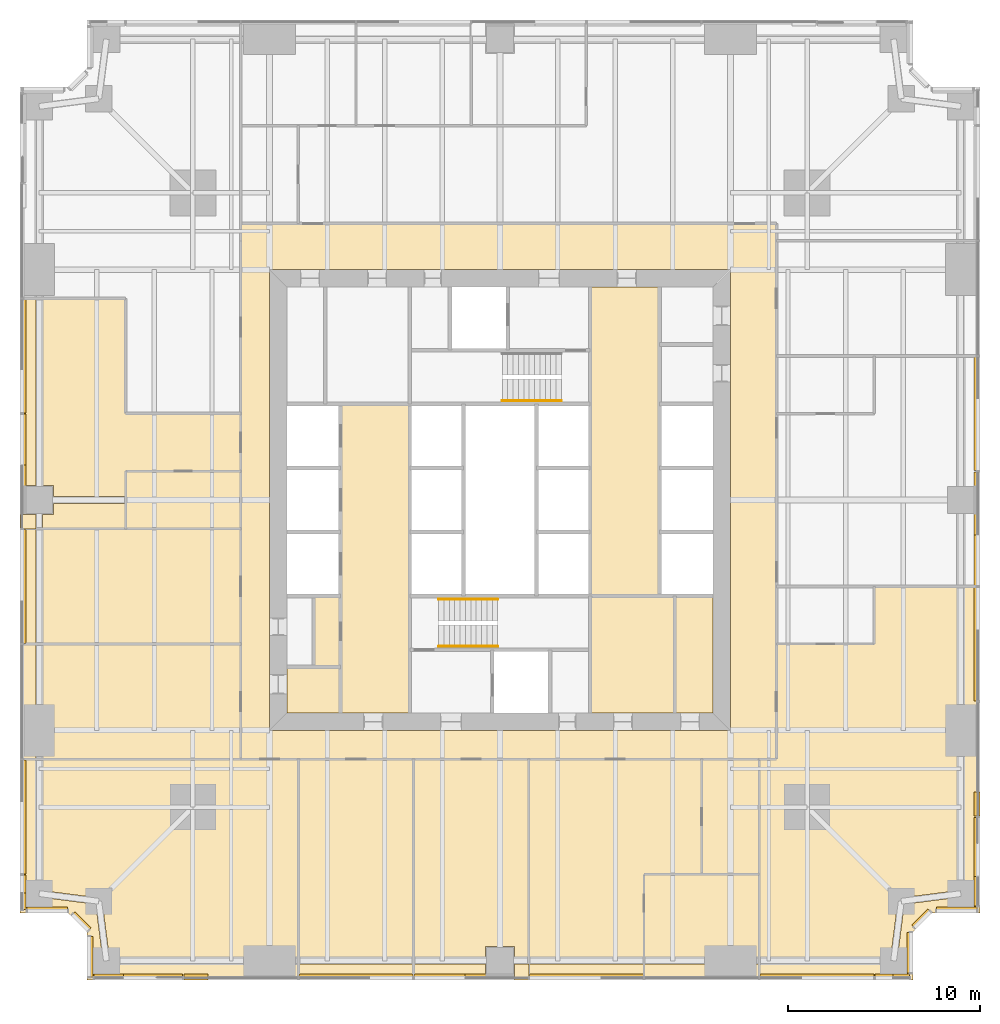
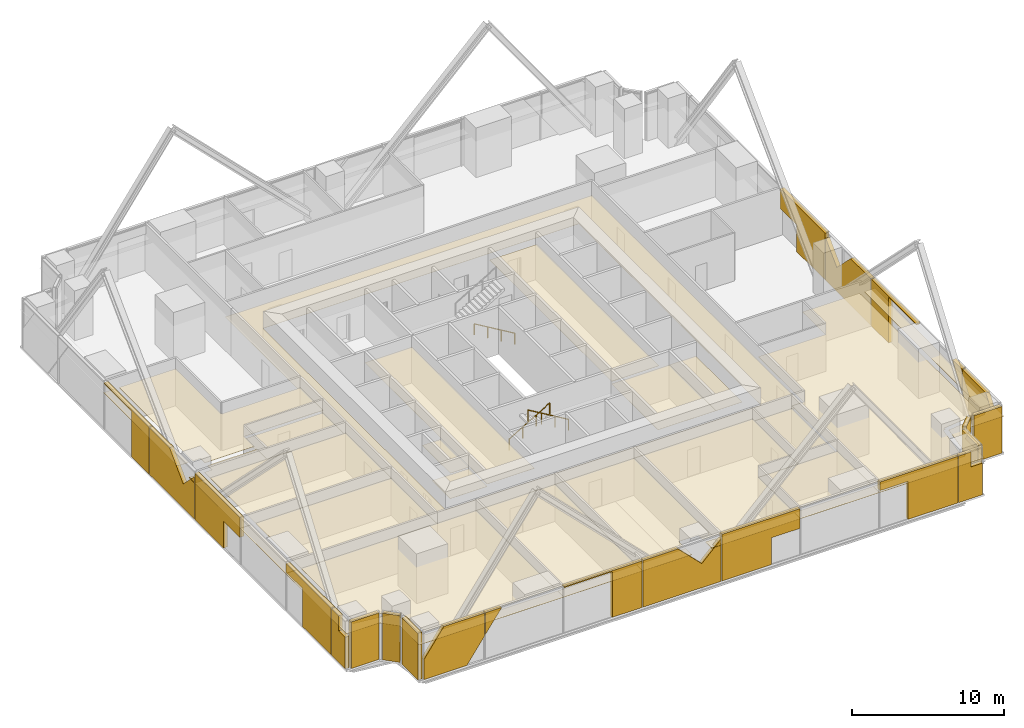
# One storey, part 12 of 13: 53 coverings, 3 railings.
"""IFC4 building model written with IfcOpenShell, lengths in metres."""

from ifc_helpers import new_model, si_unit, direction, frame, origin, origin_2d, place, context, subcontext, project, spatial, polyline, circle, outline, extrude, material, layer, layer_set, type_object, element, save


model = new_model("IFC4")

# Units and contexts
model_context = context("Model", 3, precision=1e-05, world=origin(), true_north=direction((0.0, 1.0)))
body_context = subcontext(model_context, "Body", "Model", "MODEL_VIEW")
ifc_project = project(units=[si_unit("LENGTHUNIT", "METRE"), si_unit("AREAUNIT", "SQUARE_METRE"), si_unit("VOLUMEUNIT", "CUBIC_METRE"), si_unit("PLANEANGLEUNIT", "RADIAN"), si_unit("MASSUNIT", "GRAM", prefix="KILO")], contexts=[model_context])

# Site, building, storey
site_placement = place(None, origin())
site = spatial("IfcSite", under=ifc_project, at=site_placement, CompositionType="ELEMENT")
building_placement = place(site_placement, origin())
building = spatial("IfcBuilding", under=site, at=building_placement, Name="Fenwick Lantern Interchange", CompositionType="ELEMENT")
storey_placement = place(building_placement, frame((0.0, 0.0, 67.0)))
storey = spatial("IfcBuildingStorey", under=building, at=storey_placement, Name="L15", CompositionType="ELEMENT", Elevation=67.0)

# Coverings
ifc_material_1 = material(Name="Mineral fibre acoustic tile on suspended grid")
ifc_layer_1 = layer(ifc_material_1, 0.02001953125)
ifc_layer_set_1 = layer_set([ifc_layer_1], Name="ACOUSTIC TILE CEILING 20")
covering_type_1 = type_object("IfcCoveringType", Name="ACOUSTIC TILE CEILING 20", PredefinedType="CEILING", material=ifc_layer_set_1)
covering_1_placement = place(storey_placement, frame((0.0, 0.0, 2.699951171875)))
element("IfcCovering", 1, at=covering_1_placement, inside=storey, type_object=covering_type_1, Name="Print and copy room ceiling", PredefinedType="CEILING", context=body_context, shape_type="SweptSolid", body=[
    extrude(outline(polyline([(15.300048828125, 16.300048828125), (16.699951171875, 16.300048828125), (16.699951171875, 20.0), (15.300048828125, 20.0), (15.300048828125, 16.300048828125)])), origin(), (0.0, 0.0, 1.0), 0.02001953125),
])
covering_2_placement = place(storey_placement, frame((0.0, 0.0, 2.89990234375)))
element("IfcCovering", 2, at=covering_2_placement, inside=storey, type_object=covering_type_1, Name="Office suite ceiling", PredefinedType="CEILING", context=body_context, shape_type="SweptSolid", body=[
    extrude(outline(polyline([(14.5, 11.5), (1.17236328125, 11.5), (1.17236328125, 4.651611328125), (4.1220703125, 4.27099609375), (4.10009765625, 4.10009765625), (4.27099609375, 4.1220703125), (4.651611328125, 1.17236328125), (13.0, 1.17236328125), (14.5, 1.17236328125), (14.5, 11.5)])), origin(), (0.0, 0.0, 1.0), 0.02001953125),
])
covering_3_placement = place(storey_placement, frame((0.0, 0.0, 2.89990234375)))
element("IfcCovering", 3, at=covering_3_placement, inside=storey, type_object=covering_type_1, Name="Office suite ceiling", PredefinedType="CEILING", context=body_context, shape_type="SweptSolid", body=[
    extrude(outline(polyline([(3.5, 2.5), (3.5, 0.0), (14.5, 0.0), (14.5, 0.82763671875), (13.0, 0.82763671875), (4.5, 0.82763671875), (4.5, 1.0), (4.3291015625, 0.97802734375), (3.946044921875, 3.946044921875), (0.97802734375, 4.3291015625), (1.0, 4.5), (0.82763671875, 4.5), (0.82763671875, 11.5), (0.0, 11.5), (0.0, 3.5), (2.5, 3.5), (3.5, 2.5)])), origin(), (0.0, 0.0, 1.0), 0.02001953125),
])
covering_4_placement = place(storey_placement, frame((0.0, 0.0, 2.89990234375)))
element("IfcCovering", 4, at=covering_4_placement, inside=storey, type_object=covering_type_1, Name="Office suite ceiling", PredefinedType="CEILING", context=body_context, shape_type="SweptSolid", body=[
    extrude(outline(polyline([(14.5, 11.5), (14.5, 1.17236328125), (20.5, 1.17236328125), (20.5, 11.5), (14.5, 11.5)])), origin(), (0.0, 0.0, 1.0), 0.02001953125),
])
covering_5_placement = place(storey_placement, frame((0.0, 0.0, 2.89990234375)))
element("IfcCovering", 5, at=covering_5_placement, inside=storey, type_object=covering_type_1, Name="Office suite ceiling", PredefinedType="CEILING", context=body_context, shape_type="SweptSolid", body=[
    extrude(outline(polyline([(14.5, 0.0), (20.5, 0.0), (20.5, 0.82763671875), (14.5, 0.82763671875), (14.5, 0.0)])), origin(), (0.0, 0.0, 1.0), 0.02001953125),
])
covering_6_placement = place(storey_placement, frame((0.0, 0.0, 2.89990234375)))
element("IfcCovering", 6, at=covering_6_placement, inside=storey, type_object=covering_type_1, Name="Office suite ceiling", PredefinedType="CEILING", context=body_context, shape_type="SweptSolid", body=[
    extrude(outline(polyline([(25.75, 1.75), (25.75, 1.17236328125), (26.5, 1.17236328125), (26.5, 11.5), (20.5, 11.5), (20.5, 1.17236328125), (24.25, 1.17236328125), (24.25, 1.75), (25.75, 1.75)])), origin(), (0.0, 0.0, 1.0), 0.02001953125),
])
covering_7_placement = place(storey_placement, frame((0.0, 0.0, 2.89990234375)))
element("IfcCovering", 7, at=covering_7_placement, inside=storey, type_object=covering_type_1, Name="Office suite ceiling", PredefinedType="CEILING", context=body_context, shape_type="SweptSolid", body=[
    extrude(outline(polyline([(24.25, 0.0), (24.25, 0.82763671875), (20.5, 0.82763671875), (20.5, 0.0), (24.25, 0.0)])), origin(), (0.0, 0.0, 1.0), 0.02001953125),
])
covering_8_placement = place(storey_placement, frame((0.0, 0.0, 2.89990234375)))
element("IfcCovering", 8, at=covering_8_placement, inside=storey, type_object=covering_type_1, Name="Office suite ceiling", PredefinedType="CEILING", context=body_context, shape_type="SweptSolid", body=[
    extrude(outline(polyline([(25.75, 0.82763671875), (25.75, 0.0), (26.5, 0.0), (26.5, 0.82763671875), (25.75, 0.82763671875)])), origin(), (0.0, 0.0, 1.0), 0.02001953125),
])
covering_9_placement = place(storey_placement, frame((0.0, 0.0, 2.89990234375)))
element("IfcCovering", 9, at=covering_9_placement, inside=storey, type_object=covering_type_1, Name="Office suite ceiling", PredefinedType="CEILING", context=body_context, shape_type="SweptSolid", body=[
    extrude(outline(polyline([(26.5, 11.5), (26.5, 1.17236328125), (32.5, 1.17236328125), (32.5, 5.5), (35.5, 5.5), (35.5, 11.5), (26.5, 11.5)])), origin(), (0.0, 0.0, 1.0), 0.02001953125),
])
covering_10_placement = place(storey_placement, frame((0.0, 0.0, 2.89990234375)))
element("IfcCovering", 10, at=covering_10_placement, inside=storey, type_object=covering_type_1, Name="Office suite ceiling", PredefinedType="CEILING", context=body_context, shape_type="SweptSolid", body=[
    extrude(outline(polyline([(26.5, 0.0), (32.5, 0.0), (32.5, 0.82763671875), (26.5, 0.82763671875), (26.5, 0.0)])), origin(), (0.0, 0.0, 1.0), 0.02001953125),
])
covering_11_placement = place(storey_placement, frame((0.0, 0.0, 2.89990234375)))
element("IfcCovering", 11, at=covering_11_placement, inside=storey, type_object=covering_type_1, Name="Office ceiling", PredefinedType="CEILING", context=body_context, shape_type="SweptSolid", body=[
    extrude(outline(polyline([(32.5, 5.5), (32.5, 1.17236328125), (37.0, 1.17236328125), (38.5, 1.17236328125), (38.5, 5.5), (32.5, 5.5)])), origin(), (0.0, 0.0, 1.0), 0.02001953125),
])
covering_12_placement = place(storey_placement, frame((0.0, 0.0, 2.89990234375)))
element("IfcCovering", 12, at=covering_12_placement, inside=storey, type_object=covering_type_1, Name="Office ceiling", PredefinedType="CEILING", context=body_context, shape_type="SweptSolid", body=[
    extrude(outline(polyline([(38.5, 0.0), (38.5, 0.82763671875), (37.0, 0.82763671875), (32.5, 0.82763671875), (32.5, 0.0), (38.5, 0.0)])), origin(), (0.0, 0.0, 1.0), 0.02001953125),
])
covering_13_placement = place(storey_placement, frame((0.0, 0.0, 2.89990234375)))
element("IfcCovering", 13, at=covering_13_placement, inside=storey, type_object=covering_type_1, Name="Office suite ceiling", PredefinedType="CEILING", context=body_context, shape_type="SweptSolid", body=[
    extrude(outline(polyline([(48.82763671875, 20.5), (44.5, 20.5), (44.5, 17.5), (39.39990234375, 17.5), (39.39990234375, 11.5), (38.5, 11.5), (38.5, 1.17236328125), (45.348388671875, 1.17236328125), (45.72900390625, 4.1220703125), (45.89990234375, 4.10009765625), (45.8779296875, 4.27099609375), (48.82763671875, 4.651611328125), (48.82763671875, 13.0), (48.82763671875, 20.5)])), origin(), (0.0, 0.0, 1.0), 0.02001953125),
])
covering_14_placement = place(storey_placement, frame((0.0, 0.0, 2.89990234375)))
element("IfcCovering", 14, at=covering_14_placement, inside=storey, type_object=covering_type_1, Name="Office suite ceiling", PredefinedType="CEILING", context=body_context, shape_type="SweptSolid", body=[
    extrude(outline(polyline([(50.0, 20.5), (49.17236328125, 20.5), (49.17236328125, 13.0), (49.17236328125, 4.5), (49.0, 4.5), (49.02197265625, 4.3291015625), (46.053955078125, 3.946044921875), (45.6708984375, 0.97802734375), (45.5, 1.0), (45.5, 0.82763671875), (38.5, 0.82763671875), (38.5, 0.0), (46.5, 0.0), (46.5, 2.5), (47.5, 3.5), (50.0, 3.5), (50.0, 20.5)])), origin(), (0.0, 0.0, 1.0), 0.02001953125),
])
covering_15_placement = place(storey_placement, frame((0.0, 0.0, 2.89990234375)))
element("IfcCovering", 15, at=covering_15_placement, inside=storey, type_object=covering_type_1, Name="Office suite ceiling", PredefinedType="CEILING", context=body_context, shape_type="SweptSolid", body=[
    extrude(outline(polyline([(5.5, 29.5), (5.5, 35.5), (1.17236328125, 35.5), (1.17236328125, 25.75), (1.75, 25.75), (1.75, 25.175048828125), (5.5, 25.175048828125), (5.5, 26.5), (11.5, 26.5), (11.5, 29.5), (5.5, 29.5)])), origin(), (0.0, 0.0, 1.0), 0.02001953125),
])
covering_16_placement = place(storey_placement, frame((0.0, 0.0, 2.89990234375)))
element("IfcCovering", 16, at=covering_16_placement, inside=storey, type_object=covering_type_1, Name="Office suite ceiling", PredefinedType="CEILING", context=body_context, shape_type="SweptSolid", body=[
    extrude(outline(polyline([(0.0, 25.75), (0.82763671875, 25.75), (0.82763671875, 35.5), (0.0, 35.5), (0.0, 25.75)])), origin(), (0.0, 0.0, 1.0), 0.02001953125),
])
covering_17_placement = place(storey_placement, frame((0.0, 0.0, 2.89990234375)))
element("IfcCovering", 17, at=covering_17_placement, inside=storey, type_object=covering_type_1, Name="Office suite ceiling", PredefinedType="CEILING", context=body_context, shape_type="SweptSolid", body=[
    extrude(outline(polyline([(5.5, 23.5), (5.5, 24.824951171875), (1.75, 24.824951171875), (1.75, 24.25), (1.17236328125, 24.25), (1.17236328125, 23.5), (5.5, 23.5)])), origin(), (0.0, 0.0, 1.0), 0.02001953125),
])
covering_18_placement = place(storey_placement, frame((0.0, 0.0, 2.89990234375)))
element("IfcCovering", 18, at=covering_18_placement, inside=storey, type_object=covering_type_1, Name="Office suite ceiling", PredefinedType="CEILING", context=body_context, shape_type="SweptSolid", body=[
    extrude(outline(polyline([(0.0, 23.5), (0.82763671875, 23.5), (0.82763671875, 24.25), (0.0, 24.25), (0.0, 23.5)])), origin(), (0.0, 0.0, 1.0), 0.02001953125),
])
covering_19_placement = place(storey_placement, frame((0.0, 0.0, 2.699951171875)))
element("IfcCovering", 19, at=covering_19_placement, inside=storey, type_object=covering_type_1, Name="Quiet room ceiling", PredefinedType="CEILING", context=body_context, shape_type="SweptSolid", body=[
    extrude(outline(polyline([(5.5, 26.5), (5.5, 23.5), (11.5, 23.5), (11.5, 26.5), (5.5, 26.5)])), origin(), (0.0, 0.0, 1.0), 0.02001953125),
])
covering_20_placement = place(storey_placement, frame((0.0, 0.0, 2.89990234375)))
element("IfcCovering", 20, at=covering_20_placement, inside=storey, type_object=covering_type_1, Name="Office suite ceiling", PredefinedType="CEILING", context=body_context, shape_type="SweptSolid", body=[
    extrude(outline(polyline([(11.5, 23.5), (1.17236328125, 23.5), (1.17236328125, 17.5), (11.5, 17.5), (11.5, 23.5)])), origin(), (0.0, 0.0, 1.0), 0.02001953125),
])
covering_21_placement = place(storey_placement, frame((0.0, 0.0, 2.89990234375)))
element("IfcCovering", 21, at=covering_21_placement, inside=storey, type_object=covering_type_1, Name="Office suite ceiling", PredefinedType="CEILING", context=body_context, shape_type="SweptSolid", body=[
    extrude(outline(polyline([(0.0, 23.5), (0.0, 17.5), (0.82763671875, 17.5), (0.82763671875, 23.5), (0.0, 23.5)])), origin(), (0.0, 0.0, 1.0), 0.02001953125),
])
covering_22_placement = place(storey_placement, frame((0.0, 0.0, 2.89990234375)))
element("IfcCovering", 22, at=covering_22_placement, inside=storey, type_object=covering_type_1, Name="Office suite ceiling", PredefinedType="CEILING", context=body_context, shape_type="SweptSolid", body=[
    extrude(outline(polyline([(11.5, 17.5), (1.17236328125, 17.5), (1.17236328125, 13.0), (1.17236328125, 11.5), (11.5, 11.5), (11.5, 17.5)])), origin(), (0.0, 0.0, 1.0), 0.02001953125),
])
covering_23_placement = place(storey_placement, frame((0.0, 0.0, 2.89990234375)))
element("IfcCovering", 23, at=covering_23_placement, inside=storey, type_object=covering_type_1, Name="Office suite ceiling", PredefinedType="CEILING", context=body_context, shape_type="SweptSolid", body=[
    extrude(outline(polyline([(0.0, 17.5), (0.0, 11.5), (0.82763671875, 11.5), (0.82763671875, 13.0), (0.82763671875, 17.5), (0.0, 17.5)])), origin(), (0.0, 0.0, 1.0), 0.02001953125),
])
ifc_material_2 = material(Name="Granite cladding, warm grey flamed finish, on aluminium carrier frame", Category="masonry")
ifc_layer_2 = layer(ifc_material_2, 0.300048828125)
ifc_layer_set_2 = layer_set([ifc_layer_2], Name="BRACE CASING PANEL 300")
covering_type_2 = type_object("IfcCoveringType", Name="BRACE CASING PANEL 300", PredefinedType="CLADDING", material=ifc_layer_set_2)
covering_24_placement = place(storey_placement, frame((3.60009765625, 0.10009765625, 0.0), z_axis=(0.0, 0.0, 1.0), x_axis=(1.0, 0.0, 0.0)))
element("IfcCovering", 24, at=covering_24_placement, inside=storey, type_object=covering_type_2, Name="Brace casing 01 bay 00a", PredefinedType="CLADDING", context=body_context, shape_type="SweptSolid", body=[
    extrude(outline(polyline([(0.264892578125, 0.0), (3.53515625, 0.0), (4.867431640625, 1.881103515625), (4.867431640625, 3.75), (1.77978515625, 3.75), (0.264892578125, 1.611572265625), (0.264892578125, 0.0)])), frame((0.0, 0.2001953125, 0.0), z_axis=(0.0, -1.0, 0.0), x_axis=(1.0, 0.0, 0.0)), (0.0, 0.0, 1.0), 0.300048828125),
])
covering_25_placement = place(storey_placement, frame((3.60009765625, 0.10009765625, 1.972900390625), z_axis=(0.0, 0.0, 1.0), x_axis=(1.0, 0.0, 0.0)))
element("IfcCovering", 25, at=covering_25_placement, inside=storey, type_object=covering_type_2, Name="Brace casing 01 bay 01a", PredefinedType="CLADDING", context=body_context, shape_type="SweptSolid", body=[
    extrude(outline(polyline([(4.9326171875, 0.0), (6.19140625, 1.777099609375), (4.9326171875, 1.777099609375), (4.9326171875, 0.0)])), frame((0.0, 0.2001953125, 0.0), z_axis=(0.0, -1.0, 0.0), x_axis=(1.0, 0.0, 0.0)), (0.0, 0.0, 1.0), 0.300048828125),
])
covering_26_placement = place(storey_placement, frame((3.60009765625, 0.10009765625, 0.0), z_axis=(0.0, 0.0, 1.0), x_axis=(1.0, 0.0, 0.0)))
element("IfcCovering", 26, at=covering_26_placement, inside=storey, type_object=covering_type_2, Name="Brace casing 01 bay 02a", PredefinedType="CLADDING", context=body_context, shape_type="SweptSolid", body=[
    extrude(outline(polyline([(14.592529296875, 0.0), (16.867431640625, 0.0), (16.867431640625, 3.75), (10.9326171875, 3.75), (10.9326171875, 3.656005859375), (14.592529296875, 3.656005859375), (14.592529296875, 0.0)])), frame((0.0, 0.2001953125, 0.0), z_axis=(0.0, -1.0, 0.0), x_axis=(1.0, 0.0, 0.0)), (0.0, 0.0, 1.0), 0.300048828125),
])
covering_27_placement = place(storey_placement, frame((3.60009765625, 0.10009765625, 0.0), z_axis=(0.0, 0.0, 1.0), x_axis=(1.0, 0.0, 0.0)))
element("IfcCovering", 27, at=covering_27_placement, inside=storey, type_object=covering_type_2, Name="Brace casing 01 bay 03a", PredefinedType="CLADDING", context=body_context, shape_type="SweptSolid", body=[
    extrude(outline(polyline([(16.9326171875, 0.0), (22.867431640625, 0.0), (22.867431640625, 3.406982421875), (21.39990234375, 1.939453125), (19.589599609375, 3.75), (16.9326171875, 3.75), (16.9326171875, 0.0)])), frame((0.0, 0.2001953125, 0.0), z_axis=(0.0, -1.0, 0.0), x_axis=(1.0, 0.0, 0.0)), (0.0, 0.0, 1.0), 0.300048828125),
])
covering_28_placement = place(storey_placement, frame((3.60009765625, 0.10009765625, 0.0), z_axis=(0.0, 0.0, 1.0), x_axis=(1.0, 0.0, 0.0)))
element("IfcCovering", 28, at=covering_28_placement, inside=storey, type_object=covering_type_2, Name="Brace casing 01 bay 04a", PredefinedType="CLADDING", context=body_context, shape_type="SweptSolid", body=[
    extrude(outline(polyline([(22.9326171875, 0.0), (26.711669921875, 0.0), (26.711669921875, 2.159912109375), (28.867431640625, 2.159912109375), (28.867431640625, 3.75), (22.9326171875, 3.75), (22.9326171875, 0.0)])), frame((0.0, 0.2001953125, 0.0), z_axis=(0.0, -1.0, 0.0), x_axis=(1.0, 0.0, 0.0)), (0.0, 0.0, 1.0), 0.300048828125),
])
covering_29_placement = place(storey_placement, frame((3.60009765625, 0.10009765625, 0.0), z_axis=(0.0, 0.0, 1.0), x_axis=(1.0, 0.0, 0.0)))
element("IfcCovering", 29, at=covering_29_placement, inside=storey, type_object=covering_type_2, Name="Brace casing 01 bay 06a", PredefinedType="CLADDING", context=body_context, shape_type="SweptSolid", body=[
    extrude(outline(polyline([(37.097412109375, 0.0), (40.867431640625, 0.0), (40.867431640625, 3.75), (34.9326171875, 3.75), (34.9326171875, 3.059814453125), (37.097412109375, 3.059814453125), (37.097412109375, 0.0)])), frame((0.0, 0.2001953125, 0.0), z_axis=(0.0, -1.0, 0.0), x_axis=(1.0, 0.0, 0.0)), (0.0, 0.0, 1.0), 0.300048828125),
])
covering_30_placement = place(storey_placement, frame((3.60009765625, 0.10009765625, 0.0), z_axis=(0.0, 0.0, 1.0), x_axis=(1.0, 0.0, 0.0)))
element("IfcCovering", 30, at=covering_30_placement, inside=storey, type_object=covering_type_2, Name="Brace casing 01 bay 07a", PredefinedType="CLADDING", context=body_context, shape_type="SweptSolid", body=[
    extrude(outline(polyline([(40.9326171875, 0.0), (42.735107421875, 0.0), (42.735107421875, 2.54296875), (41.875244140625, 2.54296875), (41.875244140625, 3.75), (40.9326171875, 3.75), (40.9326171875, 0.0)])), frame((0.0, 0.2001953125, 0.0), z_axis=(0.0, -1.0, 0.0), x_axis=(1.0, 0.0, 0.0)), (0.0, 0.0, 1.0), 0.300048828125),
])
covering_31_placement = place(storey_placement, frame((46.39990234375, 0.10009765625, 0.0), z_axis=(0.0, 0.0, 1.0), x_axis=(0.0, 1.0, 0.0)))
element("IfcCovering", 31, at=covering_31_placement, inside=storey, type_object=covering_type_2, Name="Brace casing 02 bay 00a", PredefinedType="CLADDING", context=body_context, shape_type="SweptSolid", body=[
    extrude(outline(polyline([(0.264892578125, 0.0), (2.37646484375, 0.0), (2.37646484375, 3.75), (0.264892578125, 3.75), (0.264892578125, 0.0)])), frame((0.0, 0.2001953125, 0.0), z_axis=(0.0, -1.0, 0.0), x_axis=(1.0, 0.0, 0.0)), (0.0, 0.0, 1.0), 0.300048828125),
])
covering_32_placement = place(storey_placement, frame((46.39990234375, 2.54150390625, 0.0), z_axis=(0.0, 0.0, 1.0), x_axis=(0.707106781187, 0.707106781187, 0.0)))
element("IfcCovering", 32, at=covering_32_placement, inside=storey, type_object=covering_type_2, Name="Brace casing 03 bay 00a", PredefinedType="CLADDING", context=body_context, shape_type="SweptSolid", body=[
    extrude(outline(polyline([(0.264892578125, 0.0), (1.43212890625, 0.0), (1.43212890625, 3.75), (0.264892578125, 3.75), (0.264892578125, 0.0)])), frame((0.0, 0.2001953125, 0.0), z_axis=(0.0, -1.0, 0.0), x_axis=(1.0, 0.0, 0.0)), (0.0, 0.0, 1.0), 0.300048828125),
])
covering_33_placement = place(storey_placement, frame((47.45849609375, 3.60009765625, 0.0), z_axis=(0.0, 0.0, 1.0), x_axis=(1.0, 0.0, 0.0)))
element("IfcCovering", 33, at=covering_33_placement, inside=storey, type_object=covering_type_2, Name="Brace casing 04 bay 00a", PredefinedType="CLADDING", context=body_context, shape_type="SweptSolid", body=[
    extrude(outline(polyline([(0.264892578125, 0.0), (2.37646484375, 0.0), (2.37646484375, 3.75), (0.264892578125, 3.75), (0.264892578125, 0.0)])), frame((0.0, 0.2001953125, 0.0), z_axis=(0.0, -1.0, 0.0), x_axis=(1.0, 0.0, 0.0)), (0.0, 0.0, 1.0), 0.300048828125),
])
covering_34_placement = place(storey_placement, frame((49.89990234375, 3.60009765625, 0.0), z_axis=(0.0, 0.0, 1.0), x_axis=(0.0, 1.0, 0.0)))
element("IfcCovering", 34, at=covering_34_placement, inside=storey, type_object=covering_type_2, Name="Brace casing 05 bay 00a", PredefinedType="CLADDING", context=body_context, shape_type="SweptSolid", body=[
    extrude(outline(polyline([(0.264892578125, 0.0), (3.53515625, 0.0), (4.867431640625, 1.881103515625), (4.867431640625, 3.75), (1.77978515625, 3.75), (0.264892578125, 1.611572265625), (0.264892578125, 0.0)])), frame((0.0, 0.2001953125, 0.0), z_axis=(0.0, -1.0, 0.0), x_axis=(1.0, 0.0, 0.0)), (0.0, 0.0, 1.0), 0.300048828125),
])
covering_35_placement = place(storey_placement, frame((49.89990234375, 3.60009765625, 1.972900390625), z_axis=(0.0, 0.0, 1.0), x_axis=(0.0, 1.0, 0.0)))
element("IfcCovering", 35, at=covering_35_placement, inside=storey, type_object=covering_type_2, Name="Brace casing 05 bay 01a", PredefinedType="CLADDING", context=body_context, shape_type="SweptSolid", body=[
    extrude(outline(polyline([(4.9326171875, 0.0), (6.19140625, 1.777099609375), (4.9326171875, 1.777099609375), (4.9326171875, 0.0)])), frame((0.0, 0.2001953125, 0.0), z_axis=(0.0, -1.0, 0.0), x_axis=(1.0, 0.0, 0.0)), (0.0, 0.0, 1.0), 0.300048828125),
])
covering_36_placement = place(storey_placement, frame((49.89990234375, 3.60009765625, 0.0), z_axis=(0.0, 0.0, 1.0), x_axis=(0.0, 1.0, 0.0)))
element("IfcCovering", 36, at=covering_36_placement, inside=storey, type_object=covering_type_2, Name="Brace casing 05 bay 02a", PredefinedType="CLADDING", context=body_context, shape_type="SweptSolid", body=[
    extrude(outline(polyline([(14.592529296875, 0.0), (16.867431640625, 0.0), (16.867431640625, 3.75), (10.9326171875, 3.75), (10.9326171875, 3.656005859375), (14.592529296875, 3.656005859375), (14.592529296875, 0.0)])), frame((0.0, 0.2001953125, 0.0), z_axis=(0.0, -1.0, 0.0), x_axis=(1.0, 0.0, 0.0)), (0.0, 0.0, 1.0), 0.300048828125),
])
covering_37_placement = place(storey_placement, frame((49.89990234375, 3.60009765625, 0.0), z_axis=(0.0, 0.0, 1.0), x_axis=(0.0, 1.0, 0.0)))
element("IfcCovering", 37, at=covering_37_placement, inside=storey, type_object=covering_type_2, Name="Brace casing 05 bay 03a", PredefinedType="CLADDING", context=body_context, shape_type="SweptSolid", body=[
    extrude(outline(polyline([(16.9326171875, 0.0), (22.867431640625, 0.0), (22.867431640625, 3.406982421875), (21.39990234375, 1.939453125), (19.589599609375, 3.75), (16.9326171875, 3.75), (16.9326171875, 0.0)])), frame((0.0, 0.2001953125, 0.0), z_axis=(0.0, -1.0, 0.0), x_axis=(1.0, 0.0, 0.0)), (0.0, 0.0, 1.0), 0.300048828125),
])
covering_38_placement = place(storey_placement, frame((49.89990234375, 3.60009765625, 0.0), z_axis=(0.0, 0.0, 1.0), x_axis=(0.0, 1.0, 0.0)))
element("IfcCovering", 38, at=covering_38_placement, inside=storey, type_object=covering_type_2, Name="Brace casing 05 bay 04a", PredefinedType="CLADDING", context=body_context, shape_type="SweptSolid", body=[
    extrude(outline(polyline([(22.9326171875, 0.0), (26.711669921875, 0.0), (26.711669921875, 2.159912109375), (28.867431640625, 2.159912109375), (28.867431640625, 3.75), (22.9326171875, 3.75), (22.9326171875, 0.0)])), frame((0.0, 0.2001953125, 0.0), z_axis=(0.0, -1.0, 0.0), x_axis=(1.0, 0.0, 0.0)), (0.0, 0.0, 1.0), 0.300048828125),
])
covering_39_placement = place(storey_placement, frame((0.10009765625, 46.39990234375, 0.0), z_axis=(0.0, 0.0, 1.0), x_axis=(0.0, -1.0, 0.0)))
element("IfcCovering", 39, at=covering_39_placement, inside=storey, type_object=covering_type_2, Name="Brace casing 13 bay 02a", PredefinedType="CLADDING", context=body_context, shape_type="SweptSolid", body=[
    extrude(outline(polyline([(14.592529296875, 0.0), (16.867431640625, 0.0), (16.867431640625, 3.75), (10.9326171875, 3.75), (10.9326171875, 3.656005859375), (14.592529296875, 3.656005859375), (14.592529296875, 0.0)])), frame((0.0, 0.2001953125, 0.0), z_axis=(0.0, -1.0, 0.0), x_axis=(1.0, 0.0, 0.0)), (0.0, 0.0, 1.0), 0.300048828125),
])
covering_40_placement = place(storey_placement, frame((0.10009765625, 46.39990234375, 0.0), z_axis=(0.0, 0.0, 1.0), x_axis=(0.0, -1.0, 0.0)))
element("IfcCovering", 40, at=covering_40_placement, inside=storey, type_object=covering_type_2, Name="Brace casing 13 bay 03a", PredefinedType="CLADDING", context=body_context, shape_type="SweptSolid", body=[
    extrude(outline(polyline([(16.9326171875, 0.0), (22.867431640625, 0.0), (22.867431640625, 3.406982421875), (21.39990234375, 1.939453125), (19.589599609375, 3.75), (16.9326171875, 3.75), (16.9326171875, 0.0)])), frame((0.0, 0.2001953125, 0.0), z_axis=(0.0, -1.0, 0.0), x_axis=(1.0, 0.0, 0.0)), (0.0, 0.0, 1.0), 0.300048828125),
])
covering_41_placement = place(storey_placement, frame((0.10009765625, 46.39990234375, 0.0), z_axis=(0.0, 0.0, 1.0), x_axis=(0.0, -1.0, 0.0)))
element("IfcCovering", 41, at=covering_41_placement, inside=storey, type_object=covering_type_2, Name="Brace casing 13 bay 04a", PredefinedType="CLADDING", context=body_context, shape_type="SweptSolid", body=[
    extrude(outline(polyline([(22.9326171875, 0.0), (26.711669921875, 0.0), (26.711669921875, 2.159912109375), (28.867431640625, 2.159912109375), (28.867431640625, 3.75), (22.9326171875, 3.75), (22.9326171875, 0.0)])), frame((0.0, 0.2001953125, 0.0), z_axis=(0.0, -1.0, 0.0), x_axis=(1.0, 0.0, 0.0)), (0.0, 0.0, 1.0), 0.300048828125),
])
covering_42_placement = place(storey_placement, frame((0.10009765625, 46.39990234375, 0.0), z_axis=(0.0, 0.0, 1.0), x_axis=(0.0, -1.0, 0.0)))
element("IfcCovering", 42, at=covering_42_placement, inside=storey, type_object=covering_type_2, Name="Brace casing 13 bay 06a", PredefinedType="CLADDING", context=body_context, shape_type="SweptSolid", body=[
    extrude(outline(polyline([(37.097412109375, 0.0), (40.867431640625, 0.0), (40.867431640625, 3.75), (34.9326171875, 3.75), (34.9326171875, 3.059814453125), (37.097412109375, 3.059814453125), (37.097412109375, 0.0)])), frame((0.0, 0.2001953125, 0.0), z_axis=(0.0, -1.0, 0.0), x_axis=(1.0, 0.0, 0.0)), (0.0, 0.0, 1.0), 0.300048828125),
])
covering_43_placement = place(storey_placement, frame((0.10009765625, 46.39990234375, 0.0), z_axis=(0.0, 0.0, 1.0), x_axis=(0.0, -1.0, 0.0)))
element("IfcCovering", 43, at=covering_43_placement, inside=storey, type_object=covering_type_2, Name="Brace casing 13 bay 07a", PredefinedType="CLADDING", context=body_context, shape_type="SweptSolid", body=[
    extrude(outline(polyline([(40.9326171875, 0.0), (42.735107421875, 0.0), (42.735107421875, 2.54296875), (41.875244140625, 2.54296875), (41.875244140625, 3.75), (40.9326171875, 3.75), (40.9326171875, 0.0)])), frame((0.0, 0.2001953125, 0.0), z_axis=(0.0, -1.0, 0.0), x_axis=(1.0, 0.0, 0.0)), (0.0, 0.0, 1.0), 0.300048828125),
])
covering_44_placement = place(storey_placement, frame((0.10009765625, 3.60009765625, 0.0), z_axis=(0.0, 0.0, 1.0), x_axis=(1.0, 0.0, 0.0)))
element("IfcCovering", 44, at=covering_44_placement, inside=storey, type_object=covering_type_2, Name="Brace casing 14 bay 00a", PredefinedType="CLADDING", context=body_context, shape_type="SweptSolid", body=[
    extrude(outline(polyline([(0.264892578125, 0.0), (2.37646484375, 0.0), (2.37646484375, 3.75), (0.264892578125, 3.75), (0.264892578125, 0.0)])), frame((0.0, 0.2001953125, 0.0), z_axis=(0.0, -1.0, 0.0), x_axis=(1.0, 0.0, 0.0)), (0.0, 0.0, 1.0), 0.300048828125),
])
covering_45_placement = place(storey_placement, frame((2.54150390625, 3.60009765625, 0.0), z_axis=(0.0, 0.0, 1.0), x_axis=(0.707106781187, -0.707106781187, 0.0)))
element("IfcCovering", 45, at=covering_45_placement, inside=storey, type_object=covering_type_2, Name="Brace casing 15 bay 00a", PredefinedType="CLADDING", context=body_context, shape_type="SweptSolid", body=[
    extrude(outline(polyline([(0.264892578125, 0.0), (1.43212890625, 0.0), (1.43212890625, 3.75), (0.264892578125, 3.75), (0.264892578125, 0.0)])), frame((0.0, 0.2001953125, 0.0), z_axis=(0.0, -1.0, 0.0), x_axis=(1.0, 0.0, 0.0)), (0.0, 0.0, 1.0), 0.300048828125),
])
covering_46_placement = place(storey_placement, frame((3.60009765625, 2.54150390625, 0.0), z_axis=(0.0, 0.0, 1.0), x_axis=(0.0, -1.0, 0.0)))
element("IfcCovering", 46, at=covering_46_placement, inside=storey, type_object=covering_type_2, Name="Brace casing 16 bay 00a", PredefinedType="CLADDING", context=body_context, shape_type="SweptSolid", body=[
    extrude(outline(polyline([(0.264892578125, 0.0), (2.37646484375, 0.0), (2.37646484375, 3.75), (0.264892578125, 3.75), (0.264892578125, 0.0)])), frame((0.0, 0.2001953125, 0.0), z_axis=(0.0, -1.0, 0.0), x_axis=(1.0, 0.0, 0.0)), (0.0, 0.0, 1.0), 0.300048828125),
])

# Railings
ifc_material_3 = material(Name="Stainless steel handrail", Category="steel")
railing_type = type_object("IfcRailingType", Name="HANDRAIL 900", PredefinedType="HANDRAIL", material=ifc_material_3)
railing_placement = place(storey_placement, frame((21.800048828125, 19.825927734375, 0.166748046875)))
element("IfcRailing", 47, at=railing_placement, inside=storey, type_object=railing_type, Name="L15/STAIR/ST1/HR1", PredefinedType="HANDRAIL", context=body_context, shape_type="SweptSolid", body=[
    extrude(circle(Radius=0.02392578125, at=origin_2d()), frame((0.0, 0.0, 0.8759765625), z_axis=(0.859290745958, 0.0, 0.51148745235), x_axis=(0.0, 1.0, 0.0)), (0.0, 0.0, 1.0), 3.584228515625),
    extrude(circle(Radius=0.02099609375, at=origin_2d()), origin(), (0.0, 0.0, 1.0), 0.851806640625),
    extrude(circle(Radius=0.02099609375, at=origin_2d()), frame((1.026611328125, 0.0, 0.611083984375)), (0.0, 0.0, 1.0), 0.851806640625),
    extrude(circle(Radius=0.02099609375, at=origin_2d()), frame((2.05322265625, 0.0, 1.22216796875)), (0.0, 0.0, 1.0), 0.851806640625),
    extrude(circle(Radius=0.02099609375, at=origin_2d()), frame((3.079833984375, 0.0, 1.833251953125)), (0.0, 0.0, 1.0), 0.851806640625),
])
for number, where, name in (
    (48, (24.8798828125, 17.3740234375, 2.166748046875), "L15/STAIR/ST1/HR2"),
    (49, (28.199951171875, 30.174072265625, 0.166748046875), "L15/STAIR/ST2/HR1"),
):
    element("IfcRailing", number, at=place(storey_placement, frame(where)), inside=storey, type_object=railing_type, Name=name, PredefinedType="HANDRAIL", context=body_context, shape_type="SweptSolid", body=[
        extrude(circle(Radius=0.02392578125, at=origin_2d()), frame((0.0, 0.0, 0.8759765625), z_axis=(-0.859290745958, 0.0, 0.51148745235), x_axis=(0.0, -1.0, 0.0)), (0.0, 0.0, 1.0), 3.584228515625),
        extrude(circle(Radius=0.02099609375, at=origin_2d()), origin(), (0.0, 0.0, 1.0), 0.851806640625),
        extrude(circle(Radius=0.02099609375, at=origin_2d()), frame((-1.026611328125, 0.0, 0.611083984375)), (0.0, 0.0, 1.0), 0.851806640625),
        extrude(circle(Radius=0.02099609375, at=origin_2d()), frame((-2.05322265625, 0.0, 1.22216796875)), (0.0, 0.0, 1.0), 0.851806640625),
        extrude(circle(Radius=0.02099609375, at=origin_2d()), frame((-3.079833984375, 0.0, 1.833251953125)), (0.0, 0.0, 1.0), 0.851806640625),
    ])

# Coverings
ifc_material_4 = material(Name="Moisture resistant gypsum board on suspended frame, painted")
ifc_layer_3 = layer(ifc_material_4, 0.014892578125)
ifc_layer_set_3 = layer_set([ifc_layer_3], Name="MOISTURE RESISTANT CEILING 15")
covering_type_3 = type_object("IfcCoveringType", Name="MOISTURE RESISTANT CEILING 15", PredefinedType="CEILING", material=ifc_layer_set_3)
covering_47_placement = place(storey_placement, frame((0.0, 0.0, 2.60009765625)))
element("IfcCovering", 50, at=covering_47_placement, inside=storey, type_object=covering_type_3, Name="Women's WC ceiling", PredefinedType="CEILING", context=body_context, shape_type="SweptSolid", body=[
    extrude(outline(polyline([(29.699951171875, 13.89990234375), (34.10009765625, 13.89990234375), (34.10009765625, 20.0), (29.699951171875, 20.0), (29.699951171875, 13.89990234375)])), origin(), (0.0, 0.0, 1.0), 0.014892578125),
])
covering_48_placement = place(storey_placement, frame((0.0, 0.0, 2.60009765625)))
element("IfcCovering", 51, at=covering_48_placement, inside=storey, type_object=covering_type_3, Name="Men's WC ceiling", PredefinedType="CEILING", context=body_context, shape_type="SweptSolid", body=[
    extrude(outline(polyline([(34.10009765625, 13.89990234375), (36.10009765625, 13.89990234375), (36.10009765625, 20.0), (34.10009765625, 20.0), (34.10009765625, 13.89990234375)])), origin(), (0.0, 0.0, 1.0), 0.014892578125),
])
covering_49_placement = place(storey_placement, frame((0.0, 0.0, 2.60009765625)))
element("IfcCovering", 52, at=covering_49_placement, inside=storey, type_object=covering_type_3, Name="Accessible WC ceiling", PredefinedType="CEILING", context=body_context, shape_type="SweptSolid", body=[
    extrude(outline(polyline([(13.89990234375, 13.89990234375), (16.699951171875, 13.89990234375), (16.699951171875, 16.300048828125), (13.89990234375, 16.300048828125), (13.89990234375, 13.89990234375)])), origin(), (0.0, 0.0, 1.0), 0.014892578125),
])
covering_50_placement = place(storey_placement, frame((0.0, 0.0, 2.699951171875)))
element("IfcCovering", 53, at=covering_50_placement, inside=storey, type_object=covering_type_3, Name="Pantry ceiling", PredefinedType="CEILING", context=body_context, shape_type="SweptSolid", body=[
    extrude(outline(polyline([(35.5, 5.5), (38.5, 5.5), (38.5, 11.5), (35.5, 11.5), (35.5, 5.5)])), origin(), (0.0, 0.0, 1.0), 0.01513671875),
])
ifc_material_5 = material(Name="Gypsum plasterboard on suspended frame, painted")
ifc_layer_4 = layer(ifc_material_5, 0.014892578125)
ifc_layer_set_4 = layer_set([ifc_layer_4], Name="PLASTERBOARD CEILING 15")
covering_type_4 = type_object("IfcCoveringType", Name="PLASTERBOARD CEILING 15", PredefinedType="CEILING", material=ifc_layer_set_4)
covering_51_placement = place(storey_placement, frame((0.0, 0.0, 2.800048828125)))
element("IfcCovering", 54, at=covering_51_placement, inside=storey, type_object=covering_type_4, Name="Lift lobby ceiling", PredefinedType="CEILING", context=body_context, shape_type="SweptSolid", body=[
    extrude(outline(polyline([(16.699951171875, 13.89990234375), (20.300048828125, 13.89990234375), (20.300048828125, 30.0), (16.699951171875, 30.0), (16.699951171875, 13.89990234375)])), origin(), (0.0, 0.0, 1.0), 0.014892578125),
])
covering_52_placement = place(storey_placement, frame((0.0, 0.0, 2.800048828125)))
element("IfcCovering", 55, at=covering_52_placement, inside=storey, type_object=covering_type_4, Name="Lift lobby ceiling", PredefinedType="CEILING", context=body_context, shape_type="SweptSolid", body=[
    extrude(outline(polyline([(33.300048828125, 36.10009765625), (29.699951171875, 36.10009765625), (29.699951171875, 20.0), (33.300048828125, 20.0), (33.300048828125, 36.10009765625)])), origin(), (0.0, 0.0, 1.0), 0.014892578125),
])
covering_53_placement = place(storey_placement, frame((0.0, 0.0, 2.60009765625)))
element("IfcCovering", 56, at=covering_53_placement, inside=storey, type_object=covering_type_4, Name="Corridor ceiling", PredefinedType="CEILING", context=body_context, shape_type="SweptSolid", body=[
    extrude(outline(polyline([(39.39990234375, 11.5), (39.39990234375, 39.39990234375), (11.5, 39.39990234375), (11.5, 11.5), (39.39990234375, 11.5)]), holes=[polyline([(13.0, 37.0), (37.0, 37.0), (37.0, 13.0), (13.0, 13.0), (13.0, 37.0)])]), origin(), (0.0, 0.0, 1.0), 0.014892578125),
])

save(model, "model.ifc")
